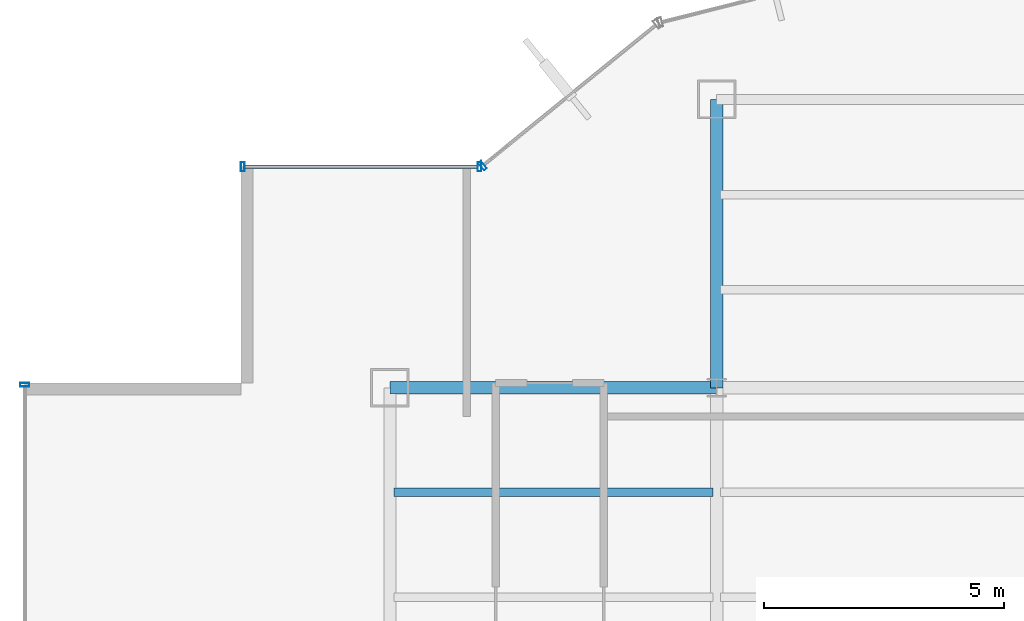
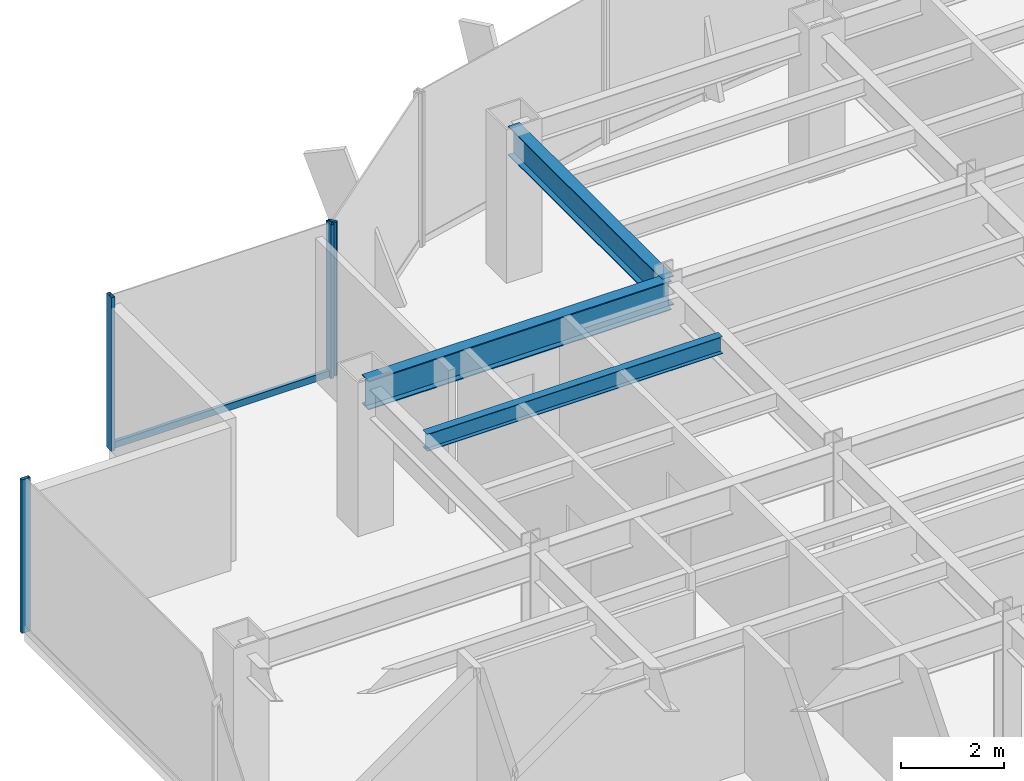
# One storey, part 13 of 26: 5 members, 3 beams, 3 elements without a shape of their own.
"""IFC4 building model written with IfcOpenShell, lengths in metres."""

from ifc_helpers import new_model, si_unit, derived_unit, direction, frame, origin, origin_2d, place, context, subcontext, project, spatial, hollow_rectangle, i_section, extrude, source, transform, mapped, material, material_profile, profile_set, type_object, element, aggregate, save


model = new_model("IFC4")

# Units and contexts
model_context = context("Model", 3, precision=1e-05, world=origin(), true_north=direction((0.0, 1.0)))
body_context = subcontext(model_context, "Body", "Model", "MODEL_VIEW")
ifc_project = project(units=[si_unit("LENGTHUNIT", "METRE"), si_unit("AREAUNIT", "SQUARE_METRE"), si_unit("VOLUMEUNIT", "CUBIC_METRE"), si_unit("PLANEANGLEUNIT", "RADIAN"), si_unit("MASSUNIT", "GRAM", prefix="KILO"), derived_unit("THERMALTRANSMITTANCEUNIT", [(si_unit("POWERUNIT", "WATT"), 1), (si_unit("LENGTHUNIT", "METRE"), -2), (si_unit("THERMODYNAMICTEMPERATUREUNIT", "KELVIN"), -1)])], contexts=[model_context])

# Site, building, storey
site_placement = place(None, origin())
site = spatial("IfcSite", under=ifc_project, at=site_placement, CompositionType="ELEMENT")
building_placement = place(site_placement, origin())
building = spatial("IfcBuilding", under=site, at=building_placement, Name="Skarnbrae Concourse Arena and Tower", CompositionType="ELEMENT")
storey_placement = place(building_placement, frame((0.0, 0.0, 125.14990234375)))
storey = spatial("IfcBuildingStorey", under=building, at=storey_placement, Name="L31", CompositionType="ELEMENT", Elevation=125.14990234375)

# Beams
ifc_material_1 = material(Name="Steel CSA G40.21 350W", Category="steel")
ifc_material_profile_1 = material_profile(ifc_material_1, i_section(OverallWidth=0.256103515625, OverallDepth=0.693115234375, WebThickness=0.014404296875, FlangeThickness=0.023681640625, at=origin_2d()), Name="W690X170")
ifc_profile_set_1 = profile_set([ifc_material_profile_1], Name="Steel CSA G40.21 350W")
beam_type_1 = type_object("IfcBeamType", Name="BM-GIRD-W690X170", PredefinedType="BEAM", material=ifc_profile_set_1)
shared_shape_1 = source(origin(), body_context, "Body", "SweptSolid", [
    extrude(i_section(OverallWidth=0.256103515625, OverallDepth=0.693115234375, WebThickness=0.014404296875, FlangeThickness=0.023681640625, at=origin_2d()), origin(), (0.0, 0.0, 1.0), 6.7998046875),
])
beam_1_placement = place(storey_placement, frame((7.60009765625, 34.39990234375, 3.0537109375), z_axis=(1.0, 0.0, 0.0), x_axis=(0.0, 1.0, 0.0)))
element("IfcBeam", 1, at=beam_1_placement, inside=storey, type_object=beam_type_1, Name="L31 Primary E-W girder Y34.4-1", PredefinedType="BEAM", context=body_context, shape_type="MappedRepresentation", body=[
    mapped(shared_shape_1, transform((0.0, 0.0, 0.0))),
])
shared_shape_2 = source(origin(), body_context, "Body", "SweptSolid", [
    extrude(i_section(OverallWidth=0.256103515625, OverallDepth=0.693115234375, WebThickness=0.014404296875, FlangeThickness=0.023681640625, at=origin_2d()), origin(), (0.0, 0.0, 1.0), 6.0),
])
beam_2_placement = place(storey_placement, frame((14.39990234375, 34.39990234375, 3.0537109375), z_axis=(0.0, 1.0, 0.0), x_axis=(-1.0, 0.0, 0.0)))
element("IfcBeam", 2, at=beam_2_placement, inside=storey, type_object=beam_type_1, Name="L31 Primary N-S girder X14.4-4", PredefinedType="BEAM", context=body_context, shape_type="MappedRepresentation", body=[
    mapped(shared_shape_2, transform((0.0, 0.0, 0.0))),
])
ifc_material_profile_2 = material_profile(ifc_material_1, i_section(OverallWidth=0.177978515625, OverallDepth=0.406982421875, WebThickness=0.0078125, FlangeThickness=0.0126953125, at=origin_2d()), Name="W410X60")
ifc_profile_set_2 = profile_set([ifc_material_profile_2], Name="Steel CSA G40.21 350W")
beam_type_2 = type_object("IfcBeamType", Name="BM-JOIST-W410X60", PredefinedType="JOIST", material=ifc_profile_set_2)
shared_shape_3 = source(origin(), body_context, "Body", "SweptSolid", [
    extrude(i_section(OverallWidth=0.177978515625, OverallDepth=0.406982421875, WebThickness=0.0078125, FlangeThickness=0.0126953125, at=origin_2d()), origin(), (0.0, 0.0, 1.0), 6.64013671875),
])
beam_3_placement = place(storey_placement, frame((7.679931640625, 32.221923828125, 3.196533203125), z_axis=(1.0, 0.0, 0.0), x_axis=(0.0, 1.0, 0.0)))
element("IfcBeam", 3, at=beam_3_placement, inside=storey, type_object=beam_type_2, Name="L31 Secondary floor joist 3.2.1", PredefinedType="JOIST", context=body_context, shape_type="MappedRepresentation", body=[
    mapped(shared_shape_3, transform((0.0, 0.0, 0.0))),
])

# Curtain wall, member
ifc_material_2 = material(Name="Bronze anodised aluminium 6063-T6", Category="aluminium")
curtain_wall_type = type_object("IfcCurtainWallType", Name="CW-SYS-04-MIDZONE", PredefinedType="USERDEFINED", material=ifc_material_2)
curtain_wall_1_placement = place(storey_placement, origin())
curtain_wall_1 = element("IfcCurtainWall", 4, at=curtain_wall_1_placement, inside=storey, type_object=curtain_wall_type, Name="L31 Unitised curtain wall CW-L31-E15", ObjectType="UNITISED CURTAIN WALL", PredefinedType="USERDEFINED")
ifc_material_profile_3 = material_profile(ifc_material_2, hollow_rectangle(XDim=0.074951171875, YDim=0.195068359375, WallThickness=0.00439453125, at=origin_2d()), Name="ALU-MULL-75X195")
ifc_profile_set_3 = profile_set([ifc_material_profile_3], Name="Bronze anodised aluminium 6063-T6")
member_type_1 = type_object("IfcMemberType", Name="CWM-CW-04", PredefinedType="MULLION", material=ifc_profile_set_3)
shared_shape_4 = source(origin(), body_context, "Body", "SweptSolid", [
    extrude(hollow_rectangle(XDim=0.074951171875, YDim=0.195068359375, WallThickness=0.00439453125, at=origin_2d()), origin(), (0.0, 0.0, 1.0), 3.650146484375),
])
member_1_placement = place(storey_placement, frame((9.529052734375, 39.023681640625, 0.0), z_axis=(0.0, 0.0, 1.0), x_axis=(-0.776241200471, -0.630436038542, 0.0)))
member_1 = element("IfcMember", 5, at=member_1_placement, type_object=member_type_1, Name="CW-L31-E15 Mullion 2", PredefinedType="MULLION", context=body_context, shape_type="MappedRepresentation", body=[
    mapped(shared_shape_4, transform((0.0, 0.0, 0.0))),
])
aggregate(curtain_wall_1, [member_1])

# Curtain wall, members
curtain_wall_2_placement = place(storey_placement, origin())
curtain_wall_2 = element("IfcCurtainWall", 6, at=curtain_wall_2_placement, inside=storey, type_object=curtain_wall_type, Name="L31 Unitised curtain wall CW-L31-E16", ObjectType="UNITISED CURTAIN WALL", PredefinedType="USERDEFINED")
member_2_placement = place(storey_placement, frame((9.46240234375, 39.0, 0.0), z_axis=(0.0, 0.0, 1.0), x_axis=(-1.0, 0.0, 0.0)))
member_2 = element("IfcMember", 7, at=member_2_placement, type_object=member_type_1, Name="CW-L31-E16 Mullion 1", PredefinedType="MULLION", context=body_context, shape_type="MappedRepresentation", body=[
    mapped(shared_shape_4, transform((0.0, 0.0, 0.0))),
])
member_3_placement = place(storey_placement, frame((4.53759765625, 39.0, 0.0), z_axis=(0.0, 0.0, 1.0), x_axis=(-1.0, 0.0, 0.0)))
member_3 = element("IfcMember", 8, at=member_3_placement, type_object=member_type_1, Name="CW-L31-E16 Mullion 2", PredefinedType="MULLION", context=body_context, shape_type="MappedRepresentation", body=[
    mapped(shared_shape_4, transform((0.0, 0.0, 0.0))),
])

# Curtain wall, member
curtain_wall_3_placement = place(storey_placement, origin())
curtain_wall_3 = element("IfcCurtainWall", 9, at=curtain_wall_3_placement, inside=storey, type_object=curtain_wall_type, Name="L31 Unitised curtain wall CW-L31-E19", ObjectType="UNITISED CURTAIN WALL", PredefinedType="USERDEFINED")
member_4_placement = place(storey_placement, frame((0.0, 34.46240234375, 0.0), z_axis=(0.0, 0.0, 1.0), x_axis=(0.0, -1.0, 0.0)))
member_4 = element("IfcMember", 10, at=member_4_placement, type_object=member_type_1, Name="CW-L31-E19 Mullion 1", PredefinedType="MULLION", context=body_context, shape_type="MappedRepresentation", body=[
    mapped(shared_shape_4, transform((0.0, 0.0, 0.0))),
])
aggregate(curtain_wall_3, [member_4])

# Member
ifc_material_profile_4 = material_profile(ifc_material_2, hollow_rectangle(XDim=0.074951171875, YDim=0.159912109375, WallThickness=0.00439453125, at=origin_2d()), Name="ALU-TRAN-75X160")
ifc_profile_set_4 = profile_set([ifc_material_profile_4], Name="Bronze anodised aluminium 6063-T6")
member_type_2 = type_object("IfcMemberType", Name="CWT-CW-04", PredefinedType="USERDEFINED", material=ifc_profile_set_4)
shared_shape_5 = source(origin(), body_context, "Body", "SweptSolid", [
    extrude(hollow_rectangle(XDim=0.074951171875, YDim=0.159912109375, WallThickness=0.00439453125, at=origin_2d()), origin(), (0.0, 0.0, 1.0), 4.85009765625),
])
member_5_placement = place(storey_placement, frame((9.425048828125, 39.0, 0.080078125), z_axis=(-1.0, 0.0, 0.0), x_axis=(0.0, -1.0, 0.0)))
member_5 = element("IfcMember", 11, at=member_5_placement, type_object=member_type_2, Name="CW-L31-E16 Transom 1", ObjectType="TRANSOM", PredefinedType="USERDEFINED", context=body_context, shape_type="MappedRepresentation", body=[
    mapped(shared_shape_5, transform((0.0, 0.0, 0.0))),
])

aggregate(curtain_wall_2, [member_2, member_3, member_5])

save(model, "model.ifc")
